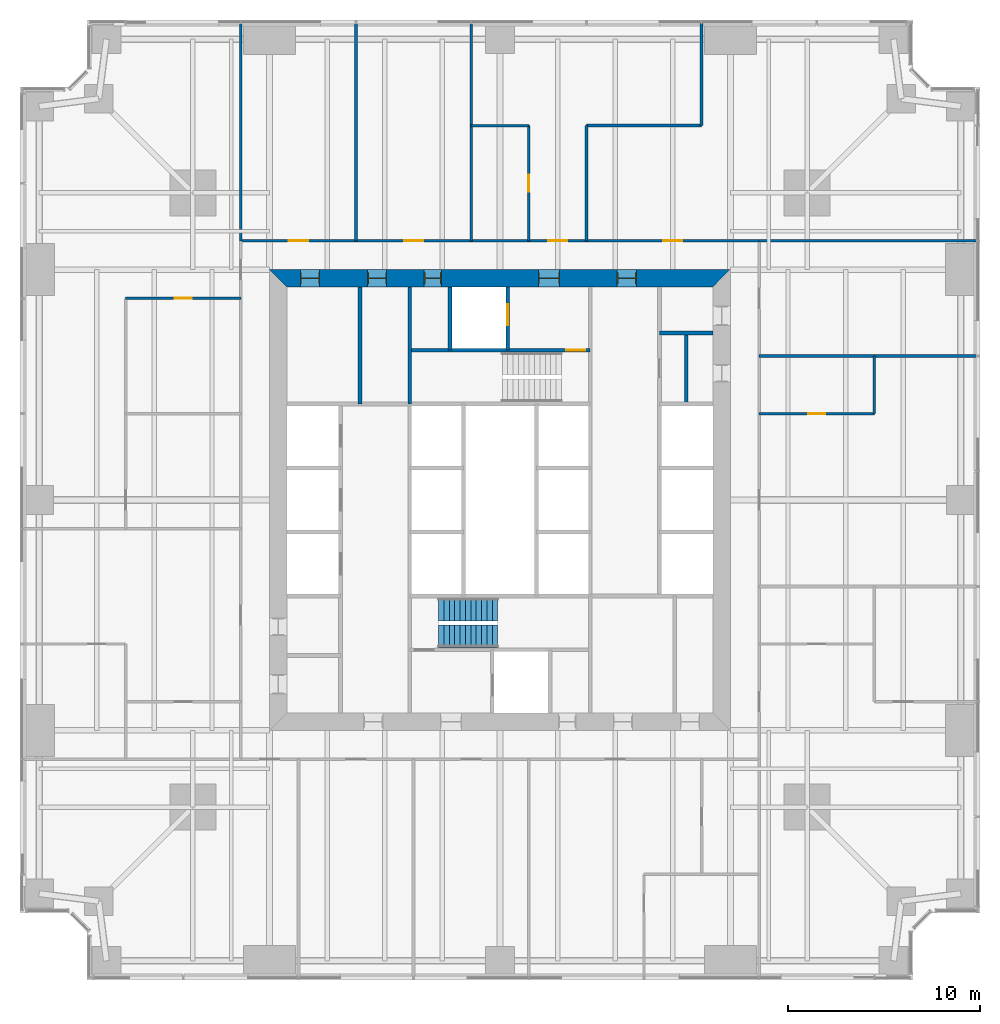
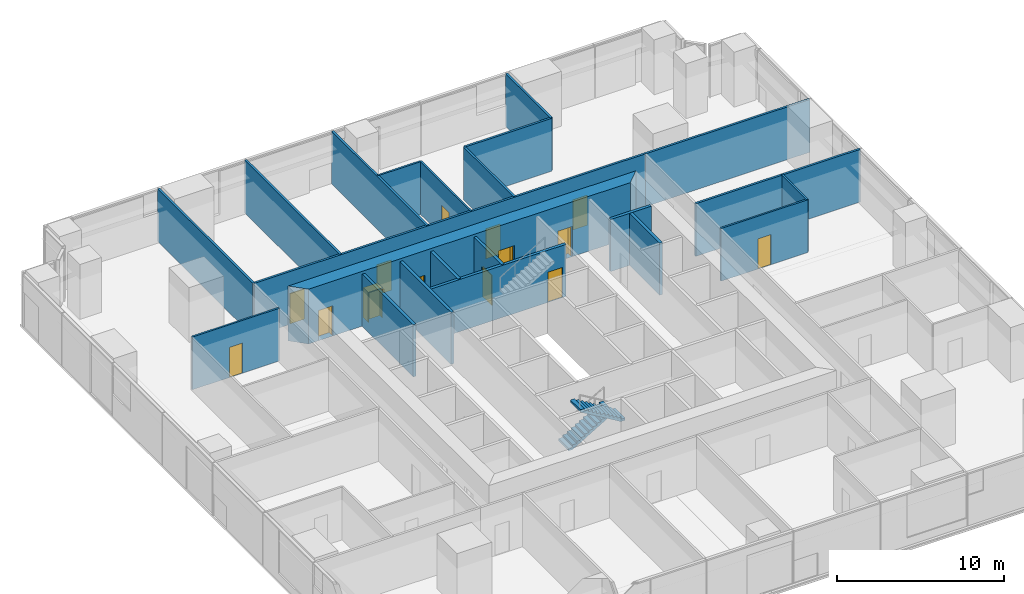
# One storey, part 11 of 14: 22 walls, 14 doors, 2 stair flights, 14 openings, 1 element without a shape of its own.
"""IFC4 building model written with IfcOpenShell, lengths in metres."""

from ifc_helpers import new_model, si_unit, direction, frame, frame_2d, origin, place, context, subcontext, project, spatial, polyline, rectangle, outline, extrude, material, layer, layer_set, type_object, element, fill, aggregate, save


model = new_model("IFC4")

# Units and contexts
model_context = context("Model", 3, precision=1e-05, world=origin(), true_north=direction((0.0, 1.0)))
body_context = subcontext(model_context, "Body", "Model", "MODEL_VIEW")
ifc_project = project(units=[si_unit("LENGTHUNIT", "METRE"), si_unit("AREAUNIT", "SQUARE_METRE"), si_unit("VOLUMEUNIT", "CUBIC_METRE"), si_unit("PLANEANGLEUNIT", "RADIAN"), si_unit("MASSUNIT", "GRAM", prefix="KILO")], contexts=[model_context])

# Site, building, storey
site_placement = place(None, origin())
site = spatial("IfcSite", under=ifc_project, at=site_placement, CompositionType="ELEMENT")
building_placement = place(site_placement, origin())
building = spatial("IfcBuilding", under=site, at=building_placement, Name="Fenwick Lantern Interchange", CompositionType="ELEMENT")
storey_placement = place(building_placement, frame((0.0, 0.0, 59.0)))
storey = spatial("IfcBuildingStorey", under=building, at=storey_placement, Name="L13", CompositionType="ELEMENT", Elevation=59.0)

# Wall, opening, door
ifc_material_1 = material(Name="Concrete masonry ASTM C90 Grade N", Category="masonry")
ifc_layer_1 = layer(ifc_material_1, 0.199951171875)
ifc_layer_set_1 = layer_set([ifc_layer_1], Name="Concrete masonry ASTM C90 Grade N")
wall_type_1 = type_object("IfcWallType", Name="CORE PARTITION 200", PredefinedType="PARTITIONING", material=ifc_layer_set_1)
wall_1_placement = place(storey_placement, frame((25.39990234375, 36.10009765625, 0.0), z_axis=(0.0, 0.0, 1.0), x_axis=(0.0, -1.0, 0.0)))
wall_1 = element("IfcWall", 1, at=wall_1_placement, inside=storey, type_object=wall_type_1, Name="L13/W/COREN/h1", PredefinedType="PARTITIONING", context=body_context, shape_type="SweptSolid", body=[
    extrude(rectangle(XDim=3.300048828125, YDim=0.199951171875, at=frame_2d((1.64990234375, 0.0))), origin(), (0.0, 0.0, 1.0), 3.800048828125),
])
opening_1_placement = place(wall_1_placement, frame((0.89990234375, 0.0, 0.0)))
opening_1 = element("IfcOpeningElement", 2, at=opening_1_placement, cuts=wall_1, Name="Opening LD-FL2", PredefinedType="OPENING", context=body_context, shape_type="SweptSolid", body=[
    extrude(rectangle(XDim=1.10009765625, YDim=2.199951171875, at=frame_2d((0.550048828125, 1.10009765625))), frame((0.0, 0.10986328125, 0.0), z_axis=(0.0, -1.0, 0.0), x_axis=(1.0, 0.0, 0.0)), (0.0, 0.0, 1.0), 0.219970703125),
])
ifc_material_2 = material(Name="Steel door and frame", Category="steel")
door_type_1 = type_object("IfcDoorType", Name="LIFT LANDING DOOR 1100 X 2200", OperationType="DOUBLE_DOOR_SLIDING", PredefinedType="DOOR", material=ifc_material_2)
door_1_placement = place(opening_1_placement, origin())
door_1 = element("IfcDoor", 3, at=door_1_placement, inside=storey, type_object=door_type_1, Name="Lift landing door FL2", OperationType="DOUBLE_DOOR_SLIDING", OverallHeight=2.199951171875, OverallWidth=1.10009765625, PredefinedType="DOOR", context=body_context, shape_type="SweptSolid", body=[
    extrude(rectangle(XDim=1.10009765625, YDim=2.199951171875, at=frame_2d((0.550048828125, 1.10009765625))), frame((0.0, 0.02490234375, 0.0), z_axis=(0.0, -1.0, 0.0), x_axis=(1.0, 0.0, 0.0)), (0.0, 0.0, 1.0), 0.050048828125),
])
fill(opening_1, door_1)

# Walls
wall_2_placement = place(storey_placement, frame((22.39990234375, 36.10009765625, 0.0), z_axis=(0.0, 0.0, 1.0), x_axis=(0.0, -1.0, 0.0)))
element("IfcWall", 4, at=wall_2_placement, inside=storey, type_object=wall_type_1, Name="L13/W/COREN/h2", PredefinedType="PARTITIONING", context=body_context, shape_type="SweptSolid", body=[
    extrude(rectangle(XDim=3.300048828125, YDim=0.199951171875, at=frame_2d((1.64990234375, 0.0))), origin(), (0.0, 0.0, 1.0), 3.800048828125),
])
wall_3_placement = place(storey_placement, frame((17.699951171875, 36.10009765625, 0.0), z_axis=(0.0, 0.0, 1.0), x_axis=(0.0, -1.0, 0.0)))
element("IfcWall", 5, at=wall_3_placement, inside=storey, type_object=wall_type_1, Name="L13/W/COREN/i2", PredefinedType="PARTITIONING", context=body_context, shape_type="SweptSolid", body=[
    extrude(rectangle(XDim=6.10009765625, YDim=0.199951171875, at=frame_2d((3.050048828125, 0.0))), origin(), (0.0, 0.0, 1.0), 3.800048828125),
])
wall_4_placement = place(storey_placement, frame((36.10009765625, 33.699951171875, 0.0), z_axis=(0.0, 0.0, 1.0), x_axis=(-1.0, 0.0, 0.0)))
element("IfcWall", 6, at=wall_4_placement, inside=storey, type_object=wall_type_1, Name="L13/W/COREN/p1", PredefinedType="PARTITIONING", context=body_context, shape_type="SweptSolid", body=[
    extrude(rectangle(XDim=2.800048828125, YDim=0.199951171875, at=frame_2d((1.39990234375, 0.0))), origin(), (0.0, 0.0, 1.0), 3.800048828125),
])
wall_5_placement = place(storey_placement, frame((34.699951171875, 33.699951171875, 0.0), z_axis=(0.0, 0.0, 1.0), x_axis=(0.0, -1.0, 0.0)))
element("IfcWall", 7, at=wall_5_placement, inside=storey, type_object=wall_type_1, Name="L13/W/COREN/px", PredefinedType="PARTITIONING", context=body_context, shape_type="SweptSolid", body=[
    extrude(rectangle(XDim=3.699951171875, YDim=0.199951171875, at=frame_2d((1.85009765625, 0.0))), origin(), (0.0, 0.0, 1.0), 3.800048828125),
])

# Wall, openings, doors
ifc_material_3 = material(Name="Concrete f'c 70 MPa", Category="concrete")
ifc_layer_2 = layer(ifc_material_3, 0.89990234375)
ifc_layer_set_2 = layer_set([ifc_layer_2], Name="CORE WALL 900")
wall_type_2 = type_object("IfcWallType", Name="CORE WALL 900", PredefinedType="SHEAR", material=ifc_layer_set_2)
wall_6_placement = place(storey_placement, frame((37.0, 36.550048828125, 0.0), z_axis=(0.0, 0.0, 1.0), x_axis=(-1.0, 0.0, 0.0)))
wall_6 = element("IfcWall", 8, at=wall_6_placement, inside=storey, type_object=wall_type_2, Name="L13/CORE/N", PredefinedType="SHEAR", context=body_context, shape_type="SweptSolid", body=[
    extrude(outline(polyline([(0.0, -0.449951171875), (24.0, -0.449951171875), (23.10009765625, 0.449951171875), (0.89990234375, 0.449951171875), (0.0, -0.449951171875)])), origin(), (0.0, 0.0, 1.0), 4.0),
])
opening_2_placement = place(wall_6_placement, frame((4.89990234375, 0.0, 0.0)))
opening_2 = element("IfcOpeningElement", 9, at=opening_2_placement, cuts=wall_6, Name="Opening L13-D009", PredefinedType="OPENING", context=body_context, shape_type="SweptSolid", body=[
    extrude(rectangle(XDim=1.0, YDim=2.199951171875, at=frame_2d((0.5, 1.10009765625))), frame((0.0, 0.4599609375, 0.0), z_axis=(0.0, -1.0, 0.0), x_axis=(1.0, 0.0, 0.0)), (0.0, 0.0, 1.0), 0.919921875),
])
opening_3_placement = place(wall_6_placement, frame((8.89990234375, 0.0, 0.0)))
opening_3 = element("IfcOpeningElement", 10, at=opening_3_placement, cuts=wall_6, Name="Opening L13-D010", PredefinedType="OPENING", context=body_context, shape_type="SweptSolid", body=[
    extrude(rectangle(XDim=1.10009765625, YDim=2.199951171875, at=frame_2d((0.550048828125, 1.10009765625))), frame((0.0, 0.4599609375, 0.0), z_axis=(0.0, -1.0, 0.0), x_axis=(1.0, 0.0, 0.0)), (0.0, 0.0, 1.0), 0.919921875),
])
opening_4_placement = place(wall_6_placement, frame((15.050048828125, 0.0, 0.0)))
opening_4 = element("IfcOpeningElement", 11, at=opening_4_placement, cuts=wall_6, Name="Opening L13-D012", PredefinedType="OPENING", context=body_context, shape_type="SweptSolid", body=[
    extrude(rectangle(XDim=0.89990234375, YDim=2.199951171875, at=frame_2d((0.449951171875, 1.10009765625))), frame((0.0, 0.4599609375, 0.0), z_axis=(0.0, -1.0, 0.0), x_axis=(1.0, 0.0, 0.0)), (0.0, 0.0, 1.0), 0.919921875),
])
opening_5_placement = place(wall_6_placement, frame((17.89990234375, 0.0, 0.0)))
opening_5 = element("IfcOpeningElement", 12, at=opening_5_placement, cuts=wall_6, Name="Opening L13-D013", PredefinedType="OPENING", context=body_context, shape_type="SweptSolid", body=[
    extrude(rectangle(XDim=1.0, YDim=2.199951171875, at=frame_2d((0.5, 1.10009765625))), frame((0.0, 0.4599609375, 0.0), z_axis=(0.0, -1.0, 0.0), x_axis=(1.0, 0.0, 0.0)), (0.0, 0.0, 1.0), 0.919921875),
])
opening_6_placement = place(wall_6_placement, frame((21.39990234375, 0.0, 0.0)))
opening_6 = element("IfcOpeningElement", 13, at=opening_6_placement, cuts=wall_6, Name="Opening L13-D014", PredefinedType="OPENING", context=body_context, shape_type="SweptSolid", body=[
    extrude(rectangle(XDim=1.0, YDim=2.199951171875, at=frame_2d((0.5, 1.10009765625))), frame((0.0, 0.4599609375, 0.0), z_axis=(0.0, -1.0, 0.0), x_axis=(1.0, 0.0, 0.0)), (0.0, 0.0, 1.0), 0.919921875),
])
door_type_2 = type_object("IfcDoorType", Name="CORE LOBBY DOOR 1000 X 2200", OperationType="SINGLE_SWING_LEFT", PredefinedType="DOOR", material=ifc_material_2)
door_2_placement = place(opening_2_placement, origin())
door_2 = element("IfcDoor", 14, at=door_2_placement, inside=storey, type_object=door_type_2, Name="Core lobby door", OperationType="SINGLE_SWING_LEFT", OverallHeight=2.199951171875, OverallWidth=1.0, PredefinedType="DOOR", context=body_context, shape_type="SweptSolid", body=[
    extrude(rectangle(XDim=1.0, YDim=2.199951171875, at=frame_2d((0.5, 1.10009765625))), frame((0.0, 0.02490234375, 0.0), z_axis=(0.0, -1.0, 0.0), x_axis=(1.0, 0.0, 0.0)), (0.0, 0.0, 1.0), 0.050048828125),
    extrude(outline(polyline([(0.0, 0.0), (0.0400390625, 0.0), (0.0400390625, 2.159912109375), (0.9599609375, 2.159912109375), (0.9599609375, 0.0), (1.0, 0.0), (1.0, 2.199951171875), (0.0, 2.199951171875), (0.0, 0.0)])), frame((0.0, 0.300048828125, 0.0), z_axis=(0.0, -1.0, 0.0), x_axis=(1.0, 0.0, 0.0)), (0.0, 0.0, 1.0), 0.60009765625),
])
fill(opening_2, door_2)
door_type_3 = type_object("IfcDoorType", Name="FIRE LOBBY DOOR 1100 X 2200", OperationType="SINGLE_SWING_LEFT", PredefinedType="DOOR", material=ifc_material_2)
door_3_placement = place(opening_3_placement, origin())
door_3 = element("IfcDoor", 15, at=door_3_placement, inside=storey, type_object=door_type_3, Name="Fire lobby door", OperationType="SINGLE_SWING_LEFT", OverallHeight=2.199951171875, OverallWidth=1.10009765625, PredefinedType="DOOR", context=body_context, shape_type="SweptSolid", body=[
    extrude(rectangle(XDim=1.10009765625, YDim=2.199951171875, at=frame_2d((0.550048828125, 1.10009765625))), frame((0.0, 0.02490234375, 0.0), z_axis=(0.0, -1.0, 0.0), x_axis=(1.0, 0.0, 0.0)), (0.0, 0.0, 1.0), 0.050048828125),
    extrude(outline(polyline([(0.0, 0.0), (0.0400390625, 0.0), (0.0400390625, 2.159912109375), (1.06005859375, 2.159912109375), (1.06005859375, 0.0), (1.10009765625, 0.0), (1.10009765625, 2.199951171875), (0.0, 2.199951171875), (0.0, 0.0)])), frame((0.0, 0.300048828125, 0.0), z_axis=(0.0, -1.0, 0.0), x_axis=(1.0, 0.0, 0.0)), (0.0, 0.0, 1.0), 0.60009765625),
])
fill(opening_3, door_3)
door_type_4 = type_object("IfcDoorType", Name="SERVICE DOOR 900 X 2200", OperationType="SINGLE_SWING_LEFT", PredefinedType="DOOR", material=ifc_material_2)
door_4_placement = place(opening_4_placement, origin())
door_4 = element("IfcDoor", 16, at=door_4_placement, inside=storey, type_object=door_type_4, Name="Service door", OperationType="SINGLE_SWING_LEFT", OverallHeight=2.199951171875, OverallWidth=0.89990234375, PredefinedType="DOOR", context=body_context, shape_type="SweptSolid", body=[
    extrude(rectangle(XDim=0.89990234375, YDim=2.199951171875, at=frame_2d((0.449951171875, 1.10009765625))), frame((0.0, 0.02490234375, 0.0), z_axis=(0.0, -1.0, 0.0), x_axis=(1.0, 0.0, 0.0)), (0.0, 0.0, 1.0), 0.050048828125),
    extrude(outline(polyline([(0.0, 0.0), (0.0400390625, 0.0), (0.0400390625, 2.159912109375), (0.85986328125, 2.159912109375), (0.85986328125, 0.0), (0.89990234375, 0.0), (0.89990234375, 2.199951171875), (0.0, 2.199951171875), (0.0, 0.0)])), frame((0.0, 0.300048828125, 0.0), z_axis=(0.0, -1.0, 0.0), x_axis=(1.0, 0.0, 0.0)), (0.0, 0.0, 1.0), 0.60009765625),
])
fill(opening_4, door_4)
ifc_material_4 = material(Name="Hardwood door and steel frame", Category="steel")
door_type_5 = type_object("IfcDoorType", Name="WC DOOR 1000 X 2200", OperationType="SINGLE_SWING_LEFT", PredefinedType="DOOR", material=ifc_material_4)
door_5_placement = place(opening_5_placement, origin())
door_5 = element("IfcDoor", 17, at=door_5_placement, inside=storey, type_object=door_type_5, Name="Wc door", OperationType="SINGLE_SWING_RIGHT", OverallHeight=2.199951171875, OverallWidth=1.0, PredefinedType="DOOR", context=body_context, shape_type="SweptSolid", body=[
    extrude(rectangle(XDim=1.0, YDim=2.199951171875, at=frame_2d((0.5, 1.10009765625))), frame((0.0, 0.02490234375, 0.0), z_axis=(0.0, -1.0, 0.0), x_axis=(1.0, 0.0, 0.0)), (0.0, 0.0, 1.0), 0.050048828125),
    extrude(outline(polyline([(0.0, 0.0), (0.0400390625, 0.0), (0.0400390625, 2.159912109375), (0.9599609375, 2.159912109375), (0.9599609375, 0.0), (1.0, 0.0), (1.0, 2.199951171875), (0.0, 2.199951171875), (0.0, 0.0)])), frame((0.0, 0.300048828125, 0.0), z_axis=(0.0, -1.0, 0.0), x_axis=(1.0, 0.0, 0.0)), (0.0, 0.0, 1.0), 0.60009765625),
])
fill(opening_5, door_5)
door_6_placement = place(opening_6_placement, origin())
door_6 = element("IfcDoor", 18, at=door_6_placement, inside=storey, type_object=door_type_5, Name="Wc door", OperationType="SINGLE_SWING_RIGHT", OverallHeight=2.199951171875, OverallWidth=1.0, PredefinedType="DOOR", context=body_context, shape_type="SweptSolid", body=[
    extrude(rectangle(XDim=1.0, YDim=2.199951171875, at=frame_2d((0.5, 1.10009765625))), frame((0.0, 0.02490234375, 0.0), z_axis=(0.0, -1.0, 0.0), x_axis=(1.0, 0.0, 0.0)), (0.0, 0.0, 1.0), 0.050048828125),
    extrude(outline(polyline([(0.0, 0.0), (0.0400390625, 0.0), (0.0400390625, 2.159912109375), (0.9599609375, 2.159912109375), (0.9599609375, 0.0), (1.0, 0.0), (1.0, 2.199951171875), (0.0, 2.199951171875), (0.0, 0.0)])), frame((0.0, 0.300048828125, 0.0), z_axis=(0.0, -1.0, 0.0), x_axis=(1.0, 0.0, 0.0)), (0.0, 0.0, 1.0), 0.60009765625),
])
fill(opening_6, door_6)

ifc_material_5 = material(Name="Gypsum board on steel studs, 1 hour", Category="steel")
ifc_layer_3 = layer(ifc_material_5, 0.14990234375)
ifc_layer_set_3 = layer_set([ifc_layer_3], Name="CORRIDOR WALL 150")
wall_type_3 = type_object("IfcWallType", Name="CORRIDOR WALL 150", PredefinedType="PARTITIONING", material=ifc_layer_set_3)
wall_7_placement = place(storey_placement, frame((38.5, 38.5, 0.0), z_axis=(0.0, 0.0, 1.0), x_axis=(-1.0, 0.0, 0.0)))
wall_7 = element("IfcWall", 19, at=wall_7_placement, inside=storey, type_object=wall_type_3, Name="L13/W/OFF/N/CW", PredefinedType="PARTITIONING", context=body_context, shape_type="SweptSolid", body=[
    extrude(rectangle(XDim=27.0, YDim=0.14990234375, at=frame_2d((13.5, 0.0))), origin(), (0.0, 0.0, 1.0), 3.85009765625),
])
opening_7_placement = place(wall_7_placement, frame((4.0, 0.0, 0.0)))
opening_7 = element("IfcOpeningElement", 20, at=opening_7_placement, cuts=wall_7, Name="Opening L13-D030", PredefinedType="OPENING", context=body_context, shape_type="SweptSolid", body=[
    extrude(rectangle(XDim=1.0, YDim=2.199951171875, at=frame_2d((0.5, 1.10009765625))), frame((0.0, 0.0849609375, 0.0), z_axis=(0.0, -1.0, 0.0), x_axis=(1.0, 0.0, 0.0)), (0.0, 0.0, 1.0), 0.169921875),
])
opening_8_placement = place(wall_7_placement, frame((10.0, 0.0, 0.0)))
opening_8 = element("IfcOpeningElement", 21, at=opening_8_placement, cuts=wall_7, Name="Opening L13-D031", PredefinedType="OPENING", context=body_context, shape_type="SweptSolid", body=[
    extrude(rectangle(XDim=1.0, YDim=2.199951171875, at=frame_2d((0.5, 1.10009765625))), frame((0.0, 0.0849609375, 0.0), z_axis=(0.0, -1.0, 0.0), x_axis=(1.0, 0.0, 0.0)), (0.0, 0.0, 1.0), 0.169921875),
])
opening_9_placement = place(wall_7_placement, frame((17.5, 0.0, 0.0)))
opening_9 = element("IfcOpeningElement", 22, at=opening_9_placement, cuts=wall_7, Name="Opening L13-D033", PredefinedType="OPENING", context=body_context, shape_type="SweptSolid", body=[
    extrude(rectangle(XDim=1.0, YDim=2.199951171875, at=frame_2d((0.5, 1.10009765625))), frame((0.0, 0.0849609375, 0.0), z_axis=(0.0, -1.0, 0.0), x_axis=(1.0, 0.0, 0.0)), (0.0, 0.0, 1.0), 0.169921875),
])
opening_10_placement = place(wall_7_placement, frame((23.5, 0.0, 0.0)))
opening_10 = element("IfcOpeningElement", 23, at=opening_10_placement, cuts=wall_7, Name="Opening L13-D034", PredefinedType="OPENING", context=body_context, shape_type="SweptSolid", body=[
    extrude(rectangle(XDim=1.0, YDim=2.199951171875, at=frame_2d((0.5, 1.10009765625))), frame((0.0, 0.0849609375, 0.0), z_axis=(0.0, -1.0, 0.0), x_axis=(1.0, 0.0, 0.0)), (0.0, 0.0, 1.0), 0.169921875),
])
door_type_6 = type_object("IfcDoorType", Name="SUITE ENTRANCE DOOR 1000 X 2200", OperationType="SINGLE_SWING_LEFT", PredefinedType="DOOR", material=ifc_material_2)
door_7_placement = place(opening_7_placement, frame((1.0, 0.0, 0.0), z_axis=(0.0, 0.0, 1.0), x_axis=(-1.0, 0.0, 0.0)))
door_7 = element("IfcDoor", 24, at=door_7_placement, inside=storey, type_object=door_type_6, Name="Suite entrance door", OperationType="SINGLE_SWING_LEFT", OverallHeight=2.199951171875, OverallWidth=1.0, PredefinedType="DOOR", context=body_context, shape_type="SweptSolid", body=[
    extrude(rectangle(XDim=1.0, YDim=2.199951171875, at=frame_2d((0.5, 1.10009765625))), frame((0.0, 0.02490234375, 0.0), z_axis=(0.0, -1.0, 0.0), x_axis=(1.0, 0.0, 0.0)), (0.0, 0.0, 1.0), 0.050048828125),
])
fill(opening_7, door_7)
door_8_placement = place(opening_8_placement, frame((1.0, 0.0, 0.0), z_axis=(0.0, 0.0, 1.0), x_axis=(-1.0, 0.0, 0.0)))
door_8 = element("IfcDoor", 25, at=door_8_placement, inside=storey, type_object=door_type_6, Name="Suite entrance door", OperationType="SINGLE_SWING_RIGHT", OverallHeight=2.199951171875, OverallWidth=1.0, PredefinedType="DOOR", context=body_context, shape_type="SweptSolid", body=[
    extrude(rectangle(XDim=1.0, YDim=2.199951171875, at=frame_2d((0.5, 1.10009765625))), frame((0.0, 0.02490234375, 0.0), z_axis=(0.0, -1.0, 0.0), x_axis=(1.0, 0.0, 0.0)), (0.0, 0.0, 1.0), 0.050048828125),
])
fill(opening_8, door_8)
door_9_placement = place(opening_9_placement, frame((1.0, 0.0, 0.0), z_axis=(0.0, 0.0, 1.0), x_axis=(-1.0, 0.0, 0.0)))
door_9 = element("IfcDoor", 26, at=door_9_placement, inside=storey, type_object=door_type_6, Name="Suite entrance door", OperationType="SINGLE_SWING_RIGHT", OverallHeight=2.199951171875, OverallWidth=1.0, PredefinedType="DOOR", context=body_context, shape_type="SweptSolid", body=[
    extrude(rectangle(XDim=1.0, YDim=2.199951171875, at=frame_2d((0.5, 1.10009765625))), frame((0.0, 0.02490234375, 0.0), z_axis=(0.0, -1.0, 0.0), x_axis=(1.0, 0.0, 0.0)), (0.0, 0.0, 1.0), 0.050048828125),
])
fill(opening_9, door_9)
door_10_placement = place(opening_10_placement, frame((1.0, 0.0, 0.0), z_axis=(0.0, 0.0, 1.0), x_axis=(-1.0, 0.0, 0.0)))
door_10 = element("IfcDoor", 27, at=door_10_placement, inside=storey, type_object=door_type_6, Name="Suite entrance door", OperationType="SINGLE_SWING_RIGHT", OverallHeight=2.199951171875, OverallWidth=1.0, PredefinedType="DOOR", context=body_context, shape_type="SweptSolid", body=[
    extrude(rectangle(XDim=1.0, YDim=2.199951171875, at=frame_2d((0.5, 1.10009765625))), frame((0.0, 0.02490234375, 0.0), z_axis=(0.0, -1.0, 0.0), x_axis=(1.0, 0.0, 0.0)), (0.0, 0.0, 1.0), 0.050048828125),
])
fill(opening_10, door_10)

# Wall, opening, door
ifc_material_6 = material(Name="Gypsum board on steel studs, acoustic", Category="steel")
ifc_layer_4 = layer(ifc_material_6, 0.125)
ifc_layer_set_4 = layer_set([ifc_layer_4], Name="OFFICE PARTITION 125")
wall_type_4 = type_object("IfcWallType", Name="OFFICE PARTITION 125", PredefinedType="PARTITIONING", material=ifc_layer_set_4)
wall_8_placement = place(storey_placement, frame((44.5, 29.5, 0.0), z_axis=(0.0, 0.0, 1.0), x_axis=(-1.0, 0.0, 0.0)))
wall_8 = element("IfcWall", 28, at=wall_8_placement, inside=storey, type_object=wall_type_4, Name="L13/W/OFF/E/X295-1", PredefinedType="PARTITIONING", context=body_context, shape_type="SweptSolid", body=[
    extrude(rectangle(XDim=6.0, YDim=0.125, at=frame_2d((3.0, 0.0))), origin(), (0.0, 0.0, 1.0), 3.85009765625),
])
opening_11_placement = place(wall_8_placement, frame((2.550048828125, 0.0, 0.0)))
opening_11 = element("IfcOpeningElement", 29, at=opening_11_placement, cuts=wall_8, Name="Opening L13-D028", PredefinedType="OPENING", context=body_context, shape_type="SweptSolid", body=[
    extrude(rectangle(XDim=0.89990234375, YDim=2.199951171875, at=frame_2d((0.449951171875, 1.10009765625))), frame((0.0, 0.072509765625, 0.0), z_axis=(0.0, -1.0, 0.0), x_axis=(1.0, 0.0, 0.0)), (0.0, 0.0, 1.0), 0.14501953125),
])
door_type_7 = type_object("IfcDoorType", Name="OFFICE DOOR 900 X 2200", OperationType="SINGLE_SWING_LEFT", PredefinedType="DOOR", material=ifc_material_4)
door_11_placement = place(opening_11_placement, frame((0.89990234375, 0.0, 0.0), z_axis=(0.0, 0.0, 1.0), x_axis=(-1.0, 0.0, 0.0)))
door_11 = element("IfcDoor", 30, at=door_11_placement, inside=storey, type_object=door_type_7, Name="Office door", OperationType="SINGLE_SWING_RIGHT", OverallHeight=2.199951171875, OverallWidth=0.89990234375, PredefinedType="DOOR", context=body_context, shape_type="SweptSolid", body=[
    extrude(rectangle(XDim=0.89990234375, YDim=2.199951171875, at=frame_2d((0.449951171875, 1.10009765625))), frame((0.0, 0.02490234375, 0.0), z_axis=(0.0, -1.0, 0.0), x_axis=(1.0, 0.0, 0.0)), (0.0, 0.0, 1.0), 0.050048828125),
])
fill(opening_11, door_11)

# Wall
wall_9_placement = place(storey_placement, frame((44.5, 29.5, 0.0), z_axis=(0.0, 0.0, 1.0), x_axis=(0.0, 1.0, 0.0)))
element("IfcWall", 31, at=wall_9_placement, inside=storey, type_object=wall_type_4, Name="L13/W/OFF/E/Y55-2", PredefinedType="PARTITIONING", context=body_context, shape_type="SweptSolid", body=[
    extrude(rectangle(XDim=3.0, YDim=0.125, at=frame_2d((1.5, 0.0))), origin(), (0.0, 0.0, 1.0), 3.85009765625),
])

# Wall, opening, door
wall_10_placement = place(storey_placement, frame((26.5, 44.5, 0.0), z_axis=(0.0, 0.0, 1.0), x_axis=(0.0, -1.0, 0.0)))
wall_10 = element("IfcWall", 32, at=wall_10_placement, inside=storey, type_object=wall_type_4, Name="L13/W/OFF/N/X235-1", PredefinedType="PARTITIONING", context=body_context, shape_type="SweptSolid", body=[
    extrude(rectangle(XDim=6.0, YDim=0.125, at=frame_2d((3.0, 0.0))), origin(), (0.0, 0.0, 1.0), 3.85009765625),
])
opening_12_placement = place(wall_10_placement, frame((2.550048828125, 0.0, 0.0)))
opening_12 = element("IfcOpeningElement", 33, at=opening_12_placement, cuts=wall_10, Name="Opening L13-D032", PredefinedType="OPENING", context=body_context, shape_type="SweptSolid", body=[
    extrude(rectangle(XDim=0.89990234375, YDim=2.199951171875, at=frame_2d((0.449951171875, 1.10009765625))), frame((0.0, 0.072509765625, 0.0), z_axis=(0.0, -1.0, 0.0), x_axis=(1.0, 0.0, 0.0)), (0.0, 0.0, 1.0), 0.14501953125),
])
door_12_placement = place(opening_12_placement, frame((0.89990234375, 0.0, 0.0), z_axis=(0.0, 0.0, 1.0), x_axis=(-1.0, 0.0, 0.0)))
door_12 = element("IfcDoor", 34, at=door_12_placement, inside=storey, type_object=door_type_7, Name="Office door", OperationType="SINGLE_SWING_RIGHT", OverallHeight=2.199951171875, OverallWidth=0.89990234375, PredefinedType="DOOR", context=body_context, shape_type="SweptSolid", body=[
    extrude(rectangle(XDim=0.89990234375, YDim=2.199951171875, at=frame_2d((0.449951171875, 1.10009765625))), frame((0.0, 0.02490234375, 0.0), z_axis=(0.0, -1.0, 0.0), x_axis=(1.0, 0.0, 0.0)), (0.0, 0.0, 1.0), 0.050048828125),
])
fill(opening_12, door_12)

# Wall
wall_11_placement = place(storey_placement, frame((26.5, 44.5, 0.0), z_axis=(0.0, 0.0, 1.0), x_axis=(-1.0, 0.0, 0.0)))
element("IfcWall", 35, at=wall_11_placement, inside=storey, type_object=wall_type_4, Name="L13/W/OFF/N/Y55-2", PredefinedType="PARTITIONING", context=body_context, shape_type="SweptSolid", body=[
    extrude(rectangle(XDim=3.0, YDim=0.125, at=frame_2d((1.5, 0.0))), origin(), (0.0, 0.0, 1.0), 3.85009765625),
])

# Wall, opening, door
wall_12_placement = place(storey_placement, frame((5.5, 35.5, 0.0), z_axis=(0.0, 0.0, 1.0), x_axis=(1.0, 0.0, 0.0)))
wall_12 = element("IfcWall", 36, at=wall_12_placement, inside=storey, type_object=wall_type_4, Name="L13/W/OFF/W/X145-1", PredefinedType="PARTITIONING", context=body_context, shape_type="SweptSolid", body=[
    extrude(rectangle(XDim=6.0, YDim=0.125, at=frame_2d((3.0, 0.0))), origin(), (0.0, 0.0, 1.0), 3.85009765625),
])
opening_13_placement = place(wall_12_placement, frame((2.550048828125, 0.0, 0.0)))
opening_13 = element("IfcOpeningElement", 37, at=opening_13_placement, cuts=wall_12, Name="Opening L13-D036", PredefinedType="OPENING", context=body_context, shape_type="SweptSolid", body=[
    extrude(rectangle(XDim=0.89990234375, YDim=2.199951171875, at=frame_2d((0.449951171875, 1.10009765625))), frame((0.0, 0.072509765625, 0.0), z_axis=(0.0, -1.0, 0.0), x_axis=(1.0, 0.0, 0.0)), (0.0, 0.0, 1.0), 0.14501953125),
])
door_13_placement = place(opening_13_placement, origin())
door_13 = element("IfcDoor", 38, at=door_13_placement, inside=storey, type_object=door_type_7, Name="Office door", OperationType="SINGLE_SWING_RIGHT", OverallHeight=2.199951171875, OverallWidth=0.89990234375, PredefinedType="DOOR", context=body_context, shape_type="SweptSolid", body=[
    extrude(rectangle(XDim=0.89990234375, YDim=2.199951171875, at=frame_2d((0.449951171875, 1.10009765625))), frame((0.0, 0.02490234375, 0.0), z_axis=(0.0, -1.0, 0.0), x_axis=(1.0, 0.0, 0.0)), (0.0, 0.0, 1.0), 0.050048828125),
])
fill(opening_13, door_13)

ifc_material_7 = material(Name="Concrete f'c 45 MPa", Category="concrete")
ifc_layer_5 = layer(ifc_material_7, 0.199951171875)
ifc_layer_set_5 = layer_set([ifc_layer_5], Name="STAIR CORE WALL 200")
wall_type_5 = type_object("IfcWallType", Name="STAIR CORE WALL 200", PredefinedType="SOLIDWALL", material=ifc_layer_set_5)
wall_13_placement = place(storey_placement, frame((29.699951171875, 32.800048828125, 0.0), z_axis=(0.0, 0.0, 1.0), x_axis=(-1.0, 0.0, 0.0)))
wall_13 = element("IfcWall", 39, at=wall_13_placement, inside=storey, type_object=wall_type_5, Name="L13/W/COREN/g1", PredefinedType="SOLIDWALL", context=body_context, shape_type="SweptSolid", body=[
    extrude(rectangle(XDim=9.39990234375, YDim=0.199951171875, at=frame_2d((4.699951171875, 0.0))), origin(), (0.0, 0.0, 1.0), 3.800048828125),
])
opening_14_placement = place(wall_13_placement, frame((0.25, 0.0, 0.0)))
opening_14 = element("IfcOpeningElement", 40, at=opening_14_placement, cuts=wall_13, Name="Opening L13-D011", PredefinedType="OPENING", context=body_context, shape_type="SweptSolid", body=[
    extrude(rectangle(XDim=1.0, YDim=2.199951171875, at=frame_2d((0.5, 1.10009765625))), frame((0.0, 0.10986328125, 0.0), z_axis=(0.0, -1.0, 0.0), x_axis=(1.0, 0.0, 0.0)), (0.0, 0.0, 1.0), 0.219970703125),
])
door_type_8 = type_object("IfcDoorType", Name="STAIR DOOR 1000 X 2200", OperationType="SINGLE_SWING_LEFT", PredefinedType="DOOR", material=ifc_material_2)
door_14_placement = place(opening_14_placement, origin())
door_14 = element("IfcDoor", 41, at=door_14_placement, inside=storey, type_object=door_type_8, Name="Stair door", OperationType="SINGLE_SWING_LEFT", OverallHeight=2.199951171875, OverallWidth=1.0, PredefinedType="DOOR", context=body_context, shape_type="SweptSolid", body=[
    extrude(rectangle(XDim=1.0, YDim=2.199951171875, at=frame_2d((0.5, 1.10009765625))), frame((0.0, 0.02490234375, 0.0), z_axis=(0.0, -1.0, 0.0), x_axis=(1.0, 0.0, 0.0)), (0.0, 0.0, 1.0), 0.050048828125),
])
fill(opening_14, door_14)

# Walls
wall_14_placement = place(storey_placement, frame((20.300048828125, 36.10009765625, 0.0), z_axis=(0.0, 0.0, 1.0), x_axis=(0.0, -1.0, 0.0)))
element("IfcWall", 42, at=wall_14_placement, inside=storey, type_object=wall_type_5, Name="L13/W/COREN/i1", PredefinedType="SOLIDWALL", context=body_context, shape_type="SweptSolid", body=[
    extrude(rectangle(XDim=6.10009765625, YDim=0.199951171875, at=frame_2d((3.050048828125, 0.0))), origin(), (0.0, 0.0, 1.0), 3.800048828125),
])
ifc_material_8 = material(Name="Gypsum board on steel studs, 1 hour acoustic", Category="steel")
ifc_layer_6 = layer(ifc_material_8, 0.14990234375)
ifc_layer_set_6 = layer_set([ifc_layer_6], Name="TENANT WALL 150")
wall_type_6 = type_object("IfcWallType", Name="TENANT WALL 150", PredefinedType="PARTITIONING", material=ifc_layer_set_6)
for number, where, z_axis, x_axis, name in (
    (43, (49.85009765625, 32.5, 0.0), (0.0, 0.0, 1.0), (-1.0, 0.0, 0.0), "L13/W/OFF/E/X325-1"),
    (44, (49.85009765625, 38.5, 0.0), (0.0, 0.0, 1.0), (-1.0, 0.0, 0.0), "L13/W/OFF/N/BACK"),
):
    element("IfcWall", number, at=place(storey_placement, frame(where, z_axis=z_axis, x_axis=x_axis)), inside=storey, type_object=wall_type_6, Name=name, PredefinedType="PARTITIONING", context=body_context, shape_type="SweptSolid", body=[
        extrude(rectangle(XDim=11.35009765625, YDim=0.14990234375, at=frame_2d((5.675048828125, 0.0))), origin(), (0.0, 0.0, 1.0), 3.85009765625),
    ])
wall_15_placement = place(storey_placement, frame((35.5, 49.85009765625, 0.0), z_axis=(0.0, 0.0, 1.0), x_axis=(0.0, -1.0, 0.0)))
element("IfcWall", 45, at=wall_15_placement, inside=storey, type_object=wall_type_6, Name="L13/W/OFF/N/X145-1", PredefinedType="PARTITIONING", context=body_context, shape_type="SweptSolid", body=[
    extrude(rectangle(XDim=5.35009765625, YDim=0.14990234375, at=frame_2d((2.675048828125, 0.0))), origin(), (0.0, 0.0, 1.0), 3.85009765625),
])
wall_16_placement = place(storey_placement, frame((29.5, 44.5, 0.0), z_axis=(0.0, 0.0, 1.0), x_axis=(0.0, -1.0, 0.0)))
element("IfcWall", 46, at=wall_16_placement, inside=storey, type_object=wall_type_6, Name="L13/W/OFF/N/X205-1", PredefinedType="PARTITIONING", context=body_context, shape_type="SweptSolid", body=[
    extrude(rectangle(XDim=6.0, YDim=0.14990234375, at=frame_2d((3.0, 0.0))), origin(), (0.0, 0.0, 1.0), 3.85009765625),
])
for number, where, z_axis, x_axis, name in (
    (47, (23.5, 49.85009765625, 0.0), (0.0, 0.0, 1.0), (0.0, -1.0, 0.0), "L13/W/OFF/N/X265-1"),
    (48, (17.5, 49.85009765625, 0.0), (0.0, 0.0, 1.0), (0.0, -1.0, 0.0), "L13/W/OFF/N/X325-1"),
):
    element("IfcWall", number, at=place(storey_placement, frame(where, z_axis=z_axis, x_axis=x_axis)), inside=storey, type_object=wall_type_6, Name=name, PredefinedType="PARTITIONING", context=body_context, shape_type="SweptSolid", body=[
        extrude(rectangle(XDim=11.35009765625, YDim=0.14990234375, at=frame_2d((5.675048828125, 0.0))), origin(), (0.0, 0.0, 1.0), 3.85009765625),
    ])
wall_17_placement = place(storey_placement, frame((35.5, 44.5, 0.0), z_axis=(0.0, 0.0, 1.0), x_axis=(-1.0, 0.0, 0.0)))
element("IfcWall", 49, at=wall_17_placement, inside=storey, type_object=wall_type_6, Name="L13/W/OFF/N/Y55-1", PredefinedType="PARTITIONING", context=body_context, shape_type="SweptSolid", body=[
    extrude(rectangle(XDim=6.0, YDim=0.14990234375, at=frame_2d((3.0, 0.0))), origin(), (0.0, 0.0, 1.0), 3.85009765625),
])
wall_18_placement = place(storey_placement, frame((11.5, 49.85009765625, 0.0), z_axis=(0.0, 0.0, 1.0), x_axis=(0.0, -1.0, 0.0)))
element("IfcWall", 50, at=wall_18_placement, inside=storey, type_object=wall_type_6, Name="L13/W/OFF/W/BACK", PredefinedType="PARTITIONING", context=body_context, shape_type="SweptSolid", body=[
    extrude(rectangle(XDim=11.35009765625, YDim=0.14990234375, at=frame_2d((5.675048828125, 0.0))), origin(), (0.0, 0.0, 1.0), 3.85009765625),
])

# Stair, stair flights
ifc_material_9 = material(Name="Precast concrete f'c 35 MPa", Category="concrete")
stair_type = type_object("IfcStairType", Name="EXIT STAIR 1200", PredefinedType="HALF_TURN_STAIR", material=ifc_material_9)
stair_placement = place(storey_placement, origin())
stair = element("IfcStair", 51, at=stair_placement, inside=storey, type_object=stair_type, Name="Exit stair ST1", PredefinedType="HALF_TURN_STAIR")
stair_flight_type = type_object("IfcStairFlightType", Name="STAIR FLIGHT 1200", PredefinedType="STRAIGHT", material=ifc_material_9)
stair_flight_1_placement = place(storey_placement, frame((21.800048828125, 19.300048828125, 0.0), z_axis=(0.0, 0.0, 1.0), x_axis=(1.0, 0.0, 0.0)))
stair_flight_1 = element("IfcStairFlight", 52, at=stair_flight_1_placement, type_object=stair_flight_type, Name="ST1 flight 1", NumberOfRisers=12, NumberOfTreads=11, PredefinedType="STRAIGHT", RiserHeight=0.166666667, TreadLength=0.28, context=body_context, shape_type="SweptSolid", body=[
    extrude(outline(polyline([(0.0, 0.0), (0.0, 0.166748046875), (0.280029296875, 0.166748046875), (0.280029296875, 0.333251953125), (0.56005859375, 0.333251953125), (0.56005859375, 0.5), (0.840087890625, 0.5), (0.840087890625, 0.666748046875), (1.1201171875, 0.666748046875), (1.1201171875, 0.833251953125), (1.39990234375, 0.833251953125), (1.39990234375, 1.0), (1.679931640625, 1.0), (1.679931640625, 1.166748046875), (1.9599609375, 1.166748046875), (1.9599609375, 1.333251953125), (2.239990234375, 1.333251953125), (2.239990234375, 1.5), (2.52001953125, 1.5), (2.52001953125, 1.666748046875), (2.800048828125, 1.666748046875), (2.800048828125, 1.833251953125), (3.080078125, 1.833251953125), (3.080078125, 2.0), (3.080078125, 1.658935546875), (0.29296875, 0.0), (0.0, 0.0)])), frame((0.0, 0.60009765625, 0.0), z_axis=(0.0, -1.0, 0.0), x_axis=(1.0, 0.0, 0.0)), (0.0, 0.0, 1.0), 1.199951171875),
])
stair_flight_2_placement = place(storey_placement, frame((24.8798828125, 17.89990234375, 2.0), z_axis=(0.0, 0.0, 1.0), x_axis=(-1.0, 0.0, 0.0)))
stair_flight_2 = element("IfcStairFlight", 53, at=stair_flight_2_placement, type_object=stair_flight_type, Name="ST1 flight 2", NumberOfRisers=12, NumberOfTreads=11, PredefinedType="STRAIGHT", RiserHeight=0.166666667, TreadLength=0.28, context=body_context, shape_type="SweptSolid", body=[
    extrude(outline(polyline([(0.0, 0.0), (0.0, 0.166748046875), (0.280029296875, 0.166748046875), (0.280029296875, 0.333251953125), (0.56005859375, 0.333251953125), (0.56005859375, 0.5), (0.840087890625, 0.5), (0.840087890625, 0.666748046875), (1.1201171875, 0.666748046875), (1.1201171875, 0.833251953125), (1.39990234375, 0.833251953125), (1.39990234375, 1.0), (1.679931640625, 1.0), (1.679931640625, 1.166748046875), (1.9599609375, 1.166748046875), (1.9599609375, 1.333251953125), (2.239990234375, 1.333251953125), (2.239990234375, 1.5), (2.52001953125, 1.5), (2.52001953125, 1.666748046875), (2.800048828125, 1.666748046875), (2.800048828125, 1.833251953125), (3.080078125, 1.833251953125), (3.080078125, 2.0), (3.080078125, 1.658935546875), (0.29296875, 0.0), (0.0, 0.0)])), frame((0.0, 0.60009765625, 0.0), z_axis=(0.0, -1.0, 0.0), x_axis=(1.0, 0.0, 0.0)), (0.0, 0.0, 1.0), 1.199951171875),
])
aggregate(stair, [stair_flight_1, stair_flight_2])

save(model, "model.ifc")
